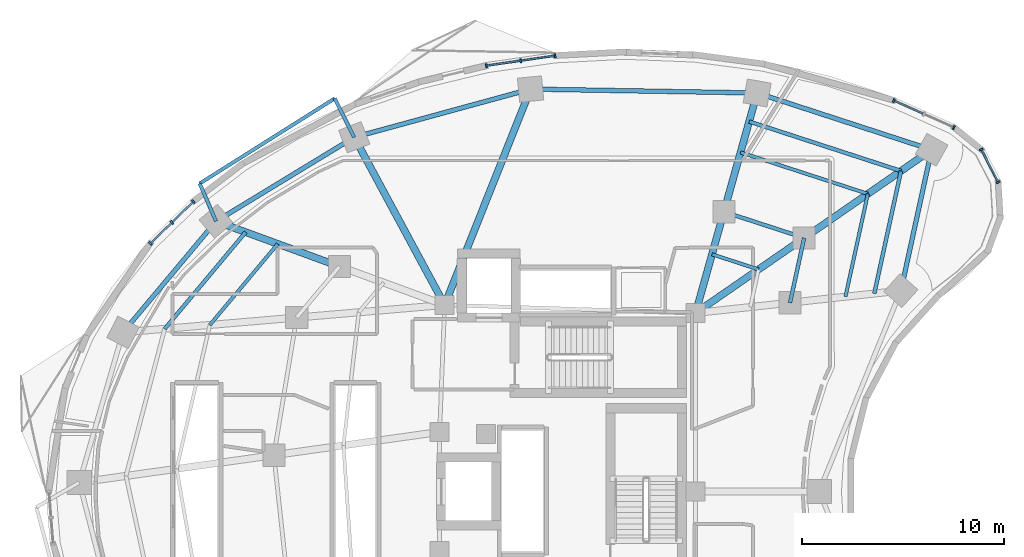
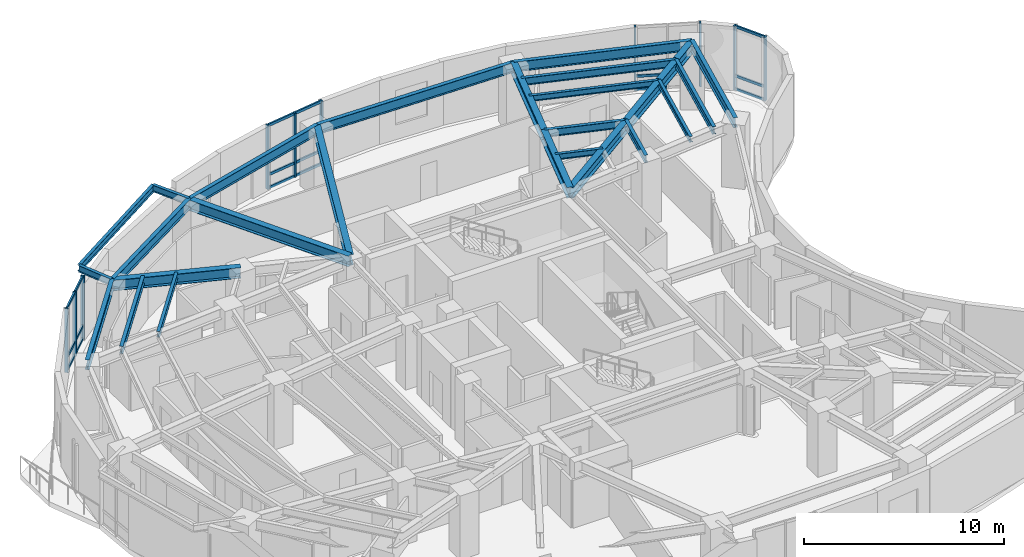
# One storey, part 5 of 14: 27 members, 25 beams, 4 elements without a shape of their own.
"""IFC4 building model written with IfcOpenShell, lengths in metres."""

import ifcopenshell
import ifcopenshell.guid

model = None  # the IFC model being written
_history = None  # IfcOwnerHistory: only IFC2X3 demands one
_inside = {}  # id of a spatial element -> (the spatial element, [elements in it])
_under = {}  # id of a project, library or spatial element -> (it, [spatial elements below it])
_declared = {}  # id of a project -> (the project, [libraries it declares])
_typed = {}  # id of a type object -> (the type object, [elements of that type])
_made_of = {}  # id of a material, layer set ... -> (it, [elements and type objects made of it])


def new_model(schema):
    """Start an empty IFC model of exactly this schema.

    Asked for "IFC4X3", IfcOpenShell would pick the latest addendum, in which some entities
    have other attributes; the version numbers below select the first issue.
    IFC2X3 requires an IfcOwnerHistory on every rooted entity: one is made here for all.
    """
    global model, _history
    if schema == "IFC4X3":
        model = ifcopenshell.file(schema_version=(4, 3, 0, 0))
    else:
        model = ifcopenshell.file(schema=schema)
    _inside.clear()
    _under.clear()
    _declared.clear()
    _typed.clear()
    _made_of.clear()
    _history = None
    if model.schema == "IFC2X3":
        org = make("IfcOrganization", Name="unknown")
        user = make(
            "IfcPersonAndOrganization",
            ThePerson=make("IfcPerson", FamilyName="unknown"),
            TheOrganization=org,
        )
        app = make(
            "IfcApplication",
            ApplicationDeveloper=org,
            Version="unknown",
            ApplicationFullName="unknown",
            ApplicationIdentifier="unknown",
        )
        _history = make(
            "IfcOwnerHistory",
            OwningUser=user,
            OwningApplication=app,
            ChangeAction="ADDED",
            CreationDate=0,
        )
    return model


def make(cls, **values):
    """One entity of the class cls with the attributes given. An attribute that is None is left unset."""
    return model.create_entity(
        cls, **{name: value for name, value in values.items() if value is not None}
    )


def rooted(cls, **values):
    """An entity with a GlobalId (a new one), such as an element, a storey or a relation."""
    return make(cls, GlobalId=ifcopenshell.guid.new(), OwnerHistory=_history, **values)


def si_unit(unit_type, name, prefix=None):
    """IfcSIUnit, for example si_unit("LENGTHUNIT", "METRE", prefix="MILLI")."""
    return make("IfcSIUnit", UnitType=unit_type, Prefix=prefix, Name=name)


def assignment(units):
    """IfcUnitAssignment: the units of a project."""
    return None if units is None else make("IfcUnitAssignment", Units=units)


def point(xyz):
    """IfcCartesianPoint."""
    return None if xyz is None else make("IfcCartesianPoint", Coordinates=xyz)


def direction(xyz):
    """IfcDirection."""
    return None if xyz is None else make("IfcDirection", DirectionRatios=xyz)


def frame(location, z_axis=None, x_axis=None):
    """IfcAxis2Placement3D, a coordinate frame: its origin and axes. An axis left out is left unset."""
    return make(
        "IfcAxis2Placement3D",
        Location=point(location),
        Axis=direction(z_axis),
        RefDirection=direction(x_axis),
    )


def frame_2d(location, x_axis=None):
    """IfcAxis2Placement2D, a coordinate frame in the plane: its origin and x axis."""
    return make(
        "IfcAxis2Placement2D", Location=point(location), RefDirection=direction(x_axis)
    )


def origin():
    """The frame at (0, 0, 0) with its axes left unset."""
    return frame((0.0, 0.0, 0.0))


def origin_2d():
    """The frame at (0, 0) in the plane with its x axis left unset."""
    return frame_2d((0.0, 0.0))


def place(relative_to, where):
    """IfcLocalPlacement: puts the frame where relative to a parent placement (None: the world)."""
    return make(
        "IfcLocalPlacement", PlacementRelTo=relative_to, RelativePlacement=where
    )


def context(
    kind, dimensions, precision=None, world=None, true_north=None, identifier=None
):
    """IfcGeometricRepresentationContext, for example the 3D "Model" context."""
    return make(
        "IfcGeometricRepresentationContext",
        ContextIdentifier=identifier,
        ContextType=kind,
        CoordinateSpaceDimension=dimensions,
        Precision=precision,
        WorldCoordinateSystem=world,
        TrueNorth=true_north,
    )


def subcontext(parent, identifier, kind, view, scale=None):
    """IfcGeometricRepresentationSubContext, for example "Body" below "Model"."""
    return make(
        "IfcGeometricRepresentationSubContext",
        ContextIdentifier=identifier,
        ContextType=kind,
        ParentContext=parent,
        TargetScale=scale,
        TargetView=view,
    )


def project(units=None, contexts=None):
    """IfcProject with its units and contexts."""
    return rooted(
        "IfcProject",
        Name="project",
        RepresentationContexts=contexts,
        UnitsInContext=assignment(units),
    )


def spatial(cls, under=None, at=None, **own):
    """A site, building, storey or space (cls), placed at a placement, below another one or the project."""
    s = rooted(cls, ObjectPlacement=at, **own)
    if under is not None:
        _under.setdefault(under.id(), (under, []))[1].append(s)
    return s


def profile(cls, at=None, kind="AREA", **sizes):
    """A parametric profile (cls). Its sizes go by their IFC names, for example OverallWidth=200.0."""
    return make(cls, ProfileType=kind, Position=at, **sizes)


def rectangle(**sizes):
    """IfcRectangleProfileDef."""
    return profile("IfcRectangleProfileDef", **sizes)


def i_section(**sizes):
    """IfcIShapeProfileDef."""
    return profile("IfcIShapeProfileDef", **sizes)


def extrude(swept, where, along, depth):
    """IfcExtrudedAreaSolid: the profile swept, set in the frame where, extruded along a direction by depth."""
    return make(
        "IfcExtrudedAreaSolid",
        SweptArea=swept,
        Position=where,
        ExtrudedDirection=direction(along),
        Depth=depth,
    )


def shape(context_of_items, identifier, shape_type, items):
    """IfcShapeRepresentation: the items that make up one representation, for example the "Body"."""
    return make(
        "IfcShapeRepresentation",
        ContextOfItems=context_of_items,
        RepresentationIdentifier=identifier,
        RepresentationType=shape_type,
        Items=items,
    )


def material(Name=None, Category=None):
    """IfcMaterial."""
    return make("IfcMaterial", Name=Name, Category=Category)


def layer(
    of_material, thickness, ventilated=None, Name=None, Category=None, Priority=None
):
    """IfcMaterialLayer: one layer of a wall or slab, of a material (None: an air gap)."""
    return make(
        "IfcMaterialLayer",
        Material=of_material,
        LayerThickness=thickness,
        IsVentilated=ventilated,
        Name=Name,
        Category=Category,
        Priority=Priority,
    )


def layer_set(layers, Name=None):
    """IfcMaterialLayerSet."""
    return make("IfcMaterialLayerSet", MaterialLayers=layers, LayerSetName=Name)


def material_profile(
    of_material, cross_section, Name=None, Category=None, Priority=None
):
    """IfcMaterialProfile: a cross section and its material."""
    return make(
        "IfcMaterialProfile",
        Name=Name,
        Material=of_material,
        Profile=cross_section,
        Priority=Priority,
        Category=Category,
    )


def profile_set(profiles, Name=None, composite=None):
    """IfcMaterialProfileSet."""
    return make(
        "IfcMaterialProfileSet",
        Name=Name,
        MaterialProfiles=profiles,
        CompositeProfile=composite,
    )


def made_of(thing, what):
    """Note that an element or type object is made of a material, layer set ...; save() writes the relation."""
    if what is not None:
        _made_of.setdefault(what.id(), (what, []))[1].append(thing)
    return thing


def type_object(cls, material=None, **own):
    """A type object (cls), such as IfcWallType, which elements share."""
    return made_of(rooted(cls, **own), material)


def element(
    cls,
    number,
    at=None,
    inside=None,
    cuts=None,
    type_object=None,
    material=None,
    context=None,
    identifier="Body",
    shape_type=None,
    held_by="IfcProductDefinitionShape",
    body=None,
    shapes=None,
    **own,
):
    """One element of the class cls, such as IfcWall. Its Tag is "e" and its number.

    at: its placement. inside: the storey or other place that contains it. cuts: it is an
    opening in that element (IfcRelVoidsElement). A single representation is given by context,
    identifier, shape_type and body (its items); several are given by shapes. held_by: the class
    of the entity that holds the representations. save() writes the other relations.
    """
    e = rooted(cls, Tag="e%d" % number, ObjectPlacement=at, **own)
    if body is not None:
        shapes = [shape(context, identifier, shape_type, body)]
    if shapes is not None:
        e.Representation = make(held_by, Representations=shapes)
    if inside is not None:
        _inside.setdefault(inside.id(), (inside, []))[1].append(e)
    if cuts is not None:
        rooted(
            "IfcRelVoidsElement", RelatingBuildingElement=cuts, RelatedOpeningElement=e
        )
    if type_object is not None:
        _typed.setdefault(type_object.id(), (type_object, []))[1].append(e)
    return made_of(e, material)


def aggregate(whole, parts):
    """IfcRelAggregates: a whole, such as a stair, and the parts it consists of."""
    return rooted("IfcRelAggregates", RelatingObject=whole, RelatedObjects=parts)


def save(model, path):
    """Write the relations noted so far, then the file.

    IfcRelAggregates (storeys below a building ...), IfcRelContainedInSpatialStructure (elements
    in a storey), IfcRelDefinesByType, IfcRelAssociatesMaterial and IfcRelDeclares: one each for
    every whole, place, type object, material and project.
    """
    for whole, parts in _under.values():
        aggregate(whole, parts)
    for where, things in _inside.values():
        rooted(
            "IfcRelContainedInSpatialStructure",
            RelatedElements=things,
            RelatingStructure=where,
        )
    for kind, things in _typed.values():
        rooted("IfcRelDefinesByType", RelatedObjects=things, RelatingType=kind)
    for what, things in _made_of.values():
        rooted("IfcRelAssociatesMaterial", RelatedObjects=things, RelatingMaterial=what)
    for by, libraries in _declared.values():
        rooted("IfcRelDeclares", RelatingContext=by, RelatedDefinitions=libraries)
    model.write(path)


model = new_model("IFC4")

# Units and contexts
model_context = context("Model", 3, precision=1e-05, world=origin(), true_north=direction((0.0, 1.0)))
body_context = subcontext(model_context, "Body", "Model", "MODEL_VIEW")
ifc_project = project(units=[si_unit("LENGTHUNIT", "METRE"), si_unit("AREAUNIT", "SQUARE_METRE"), si_unit("VOLUMEUNIT", "CUBIC_METRE"), si_unit("PLANEANGLEUNIT", "RADIAN"), si_unit("MASSUNIT", "GRAM", prefix="KILO")], contexts=[model_context])

# Site, building, storey
site_placement = place(None, origin())
site = spatial("IfcSite", under=ifc_project, at=site_placement, CompositionType="ELEMENT")
building_placement = place(site_placement, origin())
building = spatial("IfcBuilding", under=site, at=building_placement, Name="Korentha Bioscience Tower", CompositionType="ELEMENT")
storey_placement = place(building_placement, frame((0.0, 0.0, 119.39990234375)))
storey = spatial("IfcBuildingStorey", under=building, at=storey_placement, Name="L27", CompositionType="ELEMENT", Elevation=119.39990234375)

# Beams
ifc_material_1 = material(Name="Steel S355", Category="steel")
ifc_material_profile_1 = material_profile(ifc_material_1, i_section(OverallWidth=0.18994140625, OverallDepth=0.45703125, WebThickness=0.009033203125, FlangeThickness=0.014404296875, at=origin_2d()), Name="Steel S355")
ifc_profile_set_1 = profile_set([ifc_material_profile_1], Name="Steel S355 (MB-460)")
beam_type_1 = type_object("IfcBeamType", Name="Mid-Ring Tie Girder W460x74", PredefinedType="BEAM", material=ifc_profile_set_1)
beam_1_placement = place(storey_placement, frame((42.93603515625, 39.57470703125, 3.671630859375), z_axis=(-0.95087582253, 0.309572560361, 0.0), x_axis=(-0.309572560361, -0.95087582253, 0.0)))
element("IfcBeam", 1, at=beam_1_placement, inside=storey, type_object=beam_type_1, Name="L27 Mid-Ring Tie Girder 01", PredefinedType="BEAM", context=body_context, shape_type="SweptSolid", body=[
    extrude(i_section(OverallWidth=0.18994140625, OverallDepth=0.45703125, WebThickness=0.009033203125, FlangeThickness=0.014404296875, at=origin_2d()), origin(), (0.0, 0.0, 1.0), 4.186767578125),
])
beam_2_placement = place(storey_placement, frame((42.235595703125, 36.360595703125, 3.671630859375), z_axis=(0.212928773299, 0.977067724112, 0.0), x_axis=(-0.977067724112, 0.212928773299, 0.0)))
element("IfcBeam", 2, at=beam_2_placement, inside=storey, type_object=beam_type_1, Name="L27 Mid-Ring Tie Girder 16", PredefinedType="BEAM", context=body_context, shape_type="SweptSolid", body=[
    extrude(i_section(OverallWidth=0.18994140625, OverallDepth=0.45703125, WebThickness=0.009033203125, FlangeThickness=0.014404296875, at=origin_2d()), origin(), (0.0, 0.0, 1.0), 3.28955078125),
])

# Curtain wall, members
ifc_material_2 = material(Name="Thermally Broken Aluminium Frame", Category="aluminium")
ifc_layer = layer(ifc_material_2, 0.219970703125, Name="Thermally Broken Aluminium Frame")
ifc_layer_set = layer_set([ifc_layer], Name="Thermally Broken Aluminium Frame (CW-T1)")
curtain_wall_type = type_object("IfcCurtainWallType", Name="Standard Bioscience Lab Unitised Curtain Wall CW-T1", PredefinedType="USERDEFINED", material=ifc_layer_set)
curtain_wall_1_placement = place(storey_placement, origin())
curtain_wall_1 = element("IfcCurtainWall", 3, at=curtain_wall_1_placement, inside=storey, type_object=curtain_wall_type, Name="L27 Curtain Wall 01", ObjectType="UNITISED", PredefinedType="USERDEFINED")
ifc_material_3 = material(Name="Anodised Aluminium 6063-T6", Category="aluminium")
ifc_material_profile_2 = material_profile(ifc_material_3, rectangle(XDim=0.090087890625, YDim=0.199951171875, at=origin_2d()), Name="Anodised Aluminium 6063-T6")
ifc_profile_set_2 = profile_set([ifc_material_profile_2], Name="Anodised Aluminium 6063-T6 (CW-MUL)")
member_type_1 = type_object("IfcMemberType", Name="Mullion RECT 90x200", PredefinedType="MULLION", material=ifc_profile_set_2)
member_1_placement = place(storey_placement, frame((50.364013671875, 45.0517578125, 0.0), z_axis=(0.0, 0.0, 1.0), x_axis=(-0.912686563127, 0.408660295952, 0.0)))
member_1 = element("IfcMember", 4, at=member_1_placement, type_object=member_type_1, Name="CW-L27-01 Mullion 1", PredefinedType="MULLION", context=body_context, shape_type="SweptSolid", body=[
    extrude(rectangle(XDim=0.090087890625, YDim=0.199951171875, at=origin_2d()), origin(), (0.0, 0.0, 1.0), 3.900146484375),
])
member_2_placement = place(storey_placement, frame((47.37890625, 46.388427734375, 0.0), z_axis=(0.0, 0.0, 1.0), x_axis=(-0.912686563127, 0.408660295952, 0.0)))
member_2 = element("IfcMember", 5, at=member_2_placement, type_object=member_type_1, Name="CW-L27-01 Mullion 3", PredefinedType="MULLION", context=body_context, shape_type="SweptSolid", body=[
    extrude(rectangle(XDim=0.090087890625, YDim=0.199951171875, at=origin_2d()), origin(), (0.0, 0.0, 1.0), 3.900146484375),
])

curtain_wall_2_placement = place(storey_placement, origin())
curtain_wall_2 = element("IfcCurtainWall", 6, at=curtain_wall_2_placement, inside=storey, type_object=curtain_wall_type, Name="L27 Curtain Wall 07", ObjectType="UNITISED", PredefinedType="USERDEFINED")
member_3_placement = place(storey_placement, frame((30.576416015625, 48.609375, 0.0), z_axis=(0.0, 0.0, 1.0), x_axis=(-0.989738282326, -0.14289203091, 0.0)))
member_3 = element("IfcMember", 7, at=member_3_placement, type_object=member_type_1, Name="CW-L27-07 Mullion 1", PredefinedType="MULLION", context=body_context, shape_type="SweptSolid", body=[
    extrude(rectangle(XDim=0.090087890625, YDim=0.199951171875, at=origin_2d()), origin(), (0.0, 0.0, 1.0), 3.900146484375),
])
member_4_placement = place(storey_placement, frame((28.873291015625, 48.363525390625, 0.0), z_axis=(0.0, 0.0, 1.0), x_axis=(-0.989738282326, -0.14289203091, 0.0)))
member_4 = element("IfcMember", 8, at=member_4_placement, type_object=member_type_1, Name="CW-L27-07 Mullion 2", PredefinedType="MULLION", context=body_context, shape_type="SweptSolid", body=[
    extrude(rectangle(XDim=0.090087890625, YDim=0.199951171875, at=origin_2d()), origin(), (0.0, 0.0, 1.0), 3.900146484375),
])
member_5_placement = place(storey_placement, frame((27.170166015625, 48.11767578125, 0.0), z_axis=(0.0, 0.0, 1.0), x_axis=(-0.989738282326, -0.14289203091, 0.0)))
member_5 = element("IfcMember", 9, at=member_5_placement, type_object=member_type_1, Name="CW-L27-07 Mullion 3", PredefinedType="MULLION", context=body_context, shape_type="SweptSolid", body=[
    extrude(rectangle(XDim=0.090087890625, YDim=0.199951171875, at=origin_2d()), origin(), (0.0, 0.0, 1.0), 3.900146484375),
])

curtain_wall_3_placement = place(storey_placement, origin())
curtain_wall_3 = element("IfcCurtainWall", 10, at=curtain_wall_3_placement, inside=storey, type_object=curtain_wall_type, Name="L27 Curtain Wall 13", ObjectType="UNITISED", PredefinedType="USERDEFINED")
member_6_placement = place(storey_placement, frame((12.631103515625, 41.377197265625, 0.0), z_axis=(0.0, 0.0, 1.0), x_axis=(-0.716095631804, -0.698002182025, 0.0)))
member_6 = element("IfcMember", 11, at=member_6_placement, type_object=member_type_1, Name="CW-L27-13 Mullion 1", PredefinedType="MULLION", context=body_context, shape_type="SweptSolid", body=[
    extrude(rectangle(XDim=0.090087890625, YDim=0.199951171875, at=origin_2d()), origin(), (0.0, 0.0, 1.0), 3.900146484375),
])
member_7_placement = place(storey_placement, frame((11.56689453125, 40.340087890625, 0.0), z_axis=(0.0, 0.0, 1.0), x_axis=(-0.716095631804, -0.698002182025, 0.0)))
member_7 = element("IfcMember", 12, at=member_7_placement, type_object=member_type_1, Name="CW-L27-13 Mullion 2", PredefinedType="MULLION", context=body_context, shape_type="SweptSolid", body=[
    extrude(rectangle(XDim=0.090087890625, YDim=0.199951171875, at=origin_2d()), origin(), (0.0, 0.0, 1.0), 3.900146484375),
])
member_8_placement = place(storey_placement, frame((10.5029296875, 39.302734375, 0.0), z_axis=(0.0, 0.0, 1.0), x_axis=(-0.716095631804, -0.698002182025, 0.0)))
member_8 = element("IfcMember", 13, at=member_8_placement, type_object=member_type_1, Name="CW-L27-13 Mullion 3", PredefinedType="MULLION", context=body_context, shape_type="SweptSolid", body=[
    extrude(rectangle(XDim=0.090087890625, YDim=0.199951171875, at=origin_2d()), origin(), (0.0, 0.0, 1.0), 3.900146484375),
])

curtain_wall_4_placement = place(storey_placement, origin())
curtain_wall_4 = element("IfcCurtainWall", 14, at=curtain_wall_4_placement, inside=storey, type_object=curtain_wall_type, Name="L27 Curtain Wall 61", ObjectType="UNITISED", PredefinedType="USERDEFINED")
member_9_placement = place(storey_placement, frame((52.55859375, 42.337158203125, 0.0), z_axis=(0.0, 0.0, 1.0), x_axis=(-0.457613117169, 0.889151412862, 0.0)))
member_9 = element("IfcMember", 15, at=member_9_placement, type_object=member_type_1, Name="CW-L27-61 Mullion 1", PredefinedType="MULLION", context=body_context, shape_type="SweptSolid", body=[
    extrude(rectangle(XDim=0.090087890625, YDim=0.199951171875, at=origin_2d()), origin(), (0.0, 0.0, 1.0), 3.900146484375),
])
member_10_placement = place(storey_placement, frame((51.722412109375, 43.962158203125, 0.0), z_axis=(0.0, 0.0, 1.0), x_axis=(-0.457613117169, 0.889151412862, 0.0)))
member_10 = element("IfcMember", 16, at=member_10_placement, type_object=member_type_1, Name="CW-L27-61 Mullion 2", PredefinedType="MULLION", context=body_context, shape_type="SweptSolid", body=[
    extrude(rectangle(XDim=0.090087890625, YDim=0.199951171875, at=origin_2d()), origin(), (0.0, 0.0, 1.0), 3.900146484375),
])

# Beams
ifc_material_profile_3 = material_profile(ifc_material_1, i_section(OverallWidth=0.22802734375, OverallDepth=0.60791015625, WebThickness=0.01123046875, FlangeThickness=0.017333984375, at=origin_2d()), Name="Steel S355")
ifc_profile_set_3 = profile_set([ifc_material_profile_3], Name="Steel S355 (SB-610)")
beam_type_2 = type_object("IfcBeamType", Name="Perimeter Ring Spandrel Girder W610x113", PredefinedType="SPANDREL", material=ifc_profile_set_3)
beam_3_placement = place(storey_placement, frame((49.2587890625, 43.947021484375, 3.59619140625), z_axis=(-0.950867758759, 0.309597327755, 0.0), x_axis=(-0.309597327755, -0.950867758759, 0.0)))
element("IfcBeam", 17, at=beam_3_placement, inside=storey, type_object=beam_type_2, Name="L27 Perimeter Spandrel Girder 01", PredefinedType="SPANDREL", context=body_context, shape_type="SweptSolid", body=[
    extrude(i_section(OverallWidth=0.22802734375, OverallDepth=0.60791015625, WebThickness=0.01123046875, FlangeThickness=0.017333984375, at=origin_2d()), origin(), (0.0, 0.0, 1.0), 9.101806640625),
])
beam_4_placement = place(storey_placement, frame((40.604248046875, 46.764892578125, 3.59619140625), z_axis=(-0.999850566826, 0.017287105523, 0.0), x_axis=(-0.017287105523, -0.999850566826, 0.0)))
element("IfcBeam", 18, at=beam_4_placement, inside=storey, type_object=beam_type_2, Name="L27 Perimeter Spandrel Girder 02", PredefinedType="SPANDREL", context=body_context, shape_type="SweptSolid", body=[
    extrude(i_section(OverallWidth=0.22802734375, OverallDepth=0.60791015625, WebThickness=0.01123046875, FlangeThickness=0.017333984375, at=origin_2d()), origin(), (0.0, 0.0, 1.0), 11.24169921875),
])
beam_5_placement = place(storey_placement, frame((29.3642578125, 46.959228515625, 3.59619140625), z_axis=(-0.964659386444, -0.263500034431, 0.0), x_axis=(0.263500034431, -0.964659386444, 0.0)))
element("IfcBeam", 19, at=beam_5_placement, inside=storey, type_object=beam_type_2, Name="L27 Perimeter Spandrel Girder 03", PredefinedType="SPANDREL", context=body_context, shape_type="SweptSolid", body=[
    extrude(i_section(OverallWidth=0.22802734375, OverallDepth=0.60791015625, WebThickness=0.01123046875, FlangeThickness=0.017333984375, at=origin_2d()), origin(), (0.0, 0.0, 1.0), 9.06982421875),
])
beam_6_placement = place(storey_placement, frame((20.614990234375, 44.5693359375, 3.59619140625), z_axis=(-0.854461040474, -0.51951547649, 0.0), x_axis=(0.51951547649, -0.854461040474, 0.0)))
element("IfcBeam", 20, at=beam_6_placement, inside=storey, type_object=beam_type_2, Name="L27 Perimeter Spandrel Girder 04", PredefinedType="SPANDREL", context=body_context, shape_type="SweptSolid", body=[
    extrude(i_section(OverallWidth=0.22802734375, OverallDepth=0.60791015625, WebThickness=0.01123046875, FlangeThickness=0.017333984375, at=origin_2d()), origin(), (0.0, 0.0, 1.0), 8.025146484375),
])
beam_7_placement = place(storey_placement, frame((13.7578125, 40.400146484375, 3.59619140625), z_axis=(-0.642126556076, -0.76659864726, 0.0), x_axis=(0.76659864726, -0.642126556076, 0.0)))
element("IfcBeam", 21, at=beam_7_placement, inside=storey, type_object=beam_type_2, Name="L27 Perimeter Spandrel Girder 05", PredefinedType="SPANDREL", context=body_context, shape_type="SweptSolid", body=[
    extrude(i_section(OverallWidth=0.22802734375, OverallDepth=0.60791015625, WebThickness=0.01123046875, FlangeThickness=0.017333984375, at=origin_2d()), origin(), (0.0, 0.0, 1.0), 7.1884765625),
])
beam_8_placement = place(storey_placement, frame((47.736083984375, 36.959716796875, 3.59619140625), z_axis=(0.212927102256, 0.977068088275, 0.0), x_axis=(-0.977068088275, 0.212927102256, 0.0)))
element("IfcBeam", 22, at=beam_8_placement, inside=storey, type_object=beam_type_2, Name="L27 Perimeter Spandrel Girder 16", PredefinedType="SPANDREL", context=body_context, shape_type="SweptSolid", body=[
    extrude(i_section(OverallWidth=0.22802734375, OverallDepth=0.60791015625, WebThickness=0.01123046875, FlangeThickness=0.017333984375, at=origin_2d()), origin(), (0.0, 0.0, 1.0), 7.1513671875),
])
ifc_material_profile_4 = material_profile(ifc_material_1, i_section(OverallWidth=0.18994140625, OverallDepth=0.45703125, WebThickness=0.009033203125, FlangeThickness=0.014404296875, at=origin_2d()), Name="Steel S355")
ifc_profile_set_4 = profile_set([ifc_material_profile_4], Name="Steel S355 (RB-460)")
beam_type_3 = type_object("IfcBeamType", Name="Radial Laboratory Beam W460x74", PredefinedType="BEAM", material=ifc_profile_set_4)
beam_9_placement = place(storey_placement, frame((47.7412109375, 42.8974609375, 3.671630859375), z_axis=(-0.950866789802, 0.3096003037, 0.0), x_axis=(-0.3096003037, -0.950866789802, 0.0)))
element("IfcBeam", 23, at=beam_9_placement, inside=storey, type_object=beam_type_3, Name="L27 Secondary Floor Beam JSTO-01", PredefinedType="BEAM", context=body_context, shape_type="SweptSolid", body=[
    extrude(i_section(OverallWidth=0.18994140625, OverallDepth=0.45703125, WebThickness=0.009033203125, FlangeThickness=0.014404296875, at=origin_2d()), origin(), (0.0, 0.0, 1.0), 7.921875),
])
beam_10_placement = place(storey_placement, frame((15.227783203125, 39.8623046875, 3.671630859375), z_axis=(-0.642128156066, -0.766597307057, 0.0), x_axis=(0.766597307057, -0.642128156066, 0.0)))
element("IfcBeam", 24, at=beam_10_placement, inside=storey, type_object=beam_type_3, Name="L27 Secondary Floor Beam JSTO-05", PredefinedType="BEAM", context=body_context, shape_type="SweptSolid", body=[
    extrude(i_section(OverallWidth=0.18994140625, OverallDepth=0.45703125, WebThickness=0.009033203125, FlangeThickness=0.014404296875, at=origin_2d()), origin(), (0.0, 0.0, 1.0), 6.257080078125),
])
beam_11_placement = place(storey_placement, frame((46.416015625, 36.81591796875, 3.671630859375), z_axis=(0.21290837934, 0.977072168269, 0.0), x_axis=(-0.977072168269, 0.21290837934, 0.0)))
element("IfcBeam", 25, at=beam_11_placement, inside=storey, type_object=beam_type_3, Name="L27 Secondary Floor Beam JSTO-16", PredefinedType="BEAM", context=body_context, shape_type="SweptSolid", body=[
    extrude(i_section(OverallWidth=0.18994140625, OverallDepth=0.45703125, WebThickness=0.009033203125, FlangeThickness=0.014404296875, at=origin_2d()), origin(), (0.0, 0.0, 1.0), 6.224365234375),
])
ifc_material_profile_5 = material_profile(ifc_material_1, i_section(OverallWidth=0.35009765625, OverallDepth=0.64990234375, WebThickness=0.01611328125, FlangeThickness=0.02490234375, at=origin_2d()), Name="Steel S355")
ifc_profile_set_5 = profile_set([ifc_material_profile_5], Name="Steel S355 (RB-650)")
beam_type_4 = type_object("IfcBeamType", Name="Radial Laboratory Girder CVS 650x208", PredefinedType="BEAM", material=ifc_profile_set_5)
beam_12_placement = place(storey_placement, frame((37.550048828125, 35.85009765625, 3.5751953125), z_axis=(0.822488699387, 0.568781451333, 0.0), x_axis=(-0.568781451333, 0.822488699387, 0.0)))
element("IfcBeam", 26, at=beam_12_placement, inside=storey, type_object=beam_type_4, Name="L27 Inner Radial Girder 01", PredefinedType="BEAM", context=body_context, shape_type="SweptSolid", body=[
    extrude(i_section(OverallWidth=0.35009765625, OverallDepth=0.64990234375, WebThickness=0.01611328125, FlangeThickness=0.02490234375, at=origin_2d()), origin(), (0.0, 0.0, 1.0), 6.54833984375),
])
beam_13_placement = place(storey_placement, frame((42.93603515625, 39.57470703125, 3.5751953125), z_axis=(0.822495056204, 0.568772258922, 0.0), x_axis=(-0.568772258922, 0.822495056204, 0.0)))
element("IfcBeam", 27, at=beam_13_placement, inside=storey, type_object=beam_type_4, Name="L27 Outer Radial Girder 01", PredefinedType="BEAM", context=body_context, shape_type="SweptSolid", body=[
    extrude(i_section(OverallWidth=0.35009765625, OverallDepth=0.64990234375, WebThickness=0.01611328125, FlangeThickness=0.02490234375, at=origin_2d()), origin(), (0.0, 0.0, 1.0), 7.687255859375),
])
beam_14_placement = place(storey_placement, frame((37.550048828125, 35.85009765625, 3.5751953125), z_axis=(0.269447542125, 0.96301506844, 0.0), x_axis=(-0.96301506844, 0.269447542125, 0.0)))
element("IfcBeam", 28, at=beam_14_placement, inside=storey, type_object=beam_type_4, Name="L27 Inner Radial Girder 02", PredefinedType="BEAM", context=body_context, shape_type="SweptSolid", body=[
    extrude(i_section(OverallWidth=0.35009765625, OverallDepth=0.64990234375, WebThickness=0.01611328125, FlangeThickness=0.02490234375, at=origin_2d()), origin(), (0.0, 0.0, 1.0), 5.213623046875),
])
beam_15_placement = place(storey_placement, frame((38.954833984375, 40.870849609375, 3.5751953125), z_axis=(0.269490843458, 0.963002951861, 0.0), x_axis=(-0.963002951861, 0.269490843458, 0.0)))
element("IfcBeam", 29, at=beam_15_placement, inside=storey, type_object=beam_type_4, Name="L27 Outer Radial Girder 02", PredefinedType="BEAM", context=body_context, shape_type="SweptSolid", body=[
    extrude(i_section(OverallWidth=0.35009765625, OverallDepth=0.64990234375, WebThickness=0.01611328125, FlangeThickness=0.02490234375, at=origin_2d()), origin(), (0.0, 0.0, 1.0), 6.120361328125),
])
beam_16_placement = place(storey_placement, frame((25.10009765625, 36.25, 3.5751953125), z_axis=(0.369929528493, 0.929059817207, 0.0), x_axis=(-0.929059817207, 0.369929528493, 0.0)))
element("IfcBeam", 30, at=beam_16_placement, inside=storey, type_object=beam_type_4, Name="L27 Radial Girder 03", PredefinedType="BEAM", context=body_context, shape_type="SweptSolid", body=[
    extrude(i_section(OverallWidth=0.35009765625, OverallDepth=0.64990234375, WebThickness=0.01611328125, FlangeThickness=0.02490234375, at=origin_2d()), origin(), (0.0, 0.0, 1.0), 11.52685546875),
])
beam_17_placement = place(storey_placement, frame((25.10009765625, 36.25, 3.5751953125), z_axis=(-0.474548018732, 0.880229616587, 0.0), x_axis=(-0.880229616587, -0.474548018732, 0.0)))
element("IfcBeam", 31, at=beam_17_placement, inside=storey, type_object=beam_type_4, Name="L27 Radial Girder 04", PredefinedType="BEAM", context=body_context, shape_type="SweptSolid", body=[
    extrude(i_section(OverallWidth=0.35009765625, OverallDepth=0.64990234375, WebThickness=0.01611328125, FlangeThickness=0.02490234375, at=origin_2d()), origin(), (0.0, 0.0, 1.0), 9.451416015625),
])
beam_18_placement = place(storey_placement, frame((19.882568359375, 38.158935546875, 3.5751953125), z_axis=(-0.939100755225, 0.343641923425, 0.0), x_axis=(-0.343641923425, -0.939100755225, 0.0)))
element("IfcBeam", 32, at=beam_18_placement, inside=storey, type_object=beam_type_4, Name="L27 Outer Radial Girder 05", PredefinedType="BEAM", context=body_context, shape_type="SweptSolid", body=[
    extrude(i_section(OverallWidth=0.35009765625, OverallDepth=0.64990234375, WebThickness=0.01611328125, FlangeThickness=0.02490234375, at=origin_2d()), origin(), (0.0, 0.0, 1.0), 6.52197265625),
])
ifc_material_profile_6 = material_profile(ifc_material_1, i_section(OverallWidth=0.1708984375, OverallDepth=0.35498046875, WebThickness=0.007080078125, FlangeThickness=0.01171875, at=origin_2d()), Name="Steel S355")
ifc_profile_set_6 = profile_set([ifc_material_profile_6], Name="Steel S355 (JB-360)")
beam_type_5 = type_object("IfcBeamType", Name="Secondary Laboratory Joist W360x51", PredefinedType="JOIST", material=ifc_profile_set_6)
beam_19_placement = place(storey_placement, frame((46.097412109375, 41.7607421875, 3.72265625), z_axis=(-0.950864890997, 0.309606135387, 0.0), x_axis=(-0.309606135387, -0.950864890997, 0.0)))
element("IfcBeam", 33, at=beam_19_placement, inside=storey, type_object=beam_type_5, Name="L27 Secondary Floor Beam JST-01", PredefinedType="JOIST", context=body_context, shape_type="SweptSolid", body=[
    extrude(i_section(OverallWidth=0.1708984375, OverallDepth=0.35498046875, WebThickness=0.007080078125, FlangeThickness=0.01171875, at=origin_2d()), origin(), (0.0, 0.0, 1.0), 6.644287109375),
])
beam_20_placement = place(storey_placement, frame((40.673828125, 38.01025390625, 3.72265625), z_axis=(-0.950852158547, 0.30964523666, 0.0), x_axis=(-0.30964523666, -0.950852158547, 0.0)))
element("IfcBeam", 34, at=beam_20_placement, inside=storey, type_object=beam_type_5, Name="L27 Inner Bay Joist 01", PredefinedType="JOIST", context=body_context, shape_type="SweptSolid", body=[
    extrude(i_section(OverallWidth=0.1708984375, OverallDepth=0.35498046875, WebThickness=0.007080078125, FlangeThickness=0.01171875, at=origin_2d()), origin(), (0.0, 0.0, 1.0), 2.428466796875),
])
beam_21_placement = place(storey_placement, frame((16.8203125, 39.279541015625, 3.72265625), z_axis=(-0.642140812018, -0.76658670582, 0.0), x_axis=(0.76658670582, -0.642140812018, 0.0)))
element("IfcBeam", 35, at=beam_21_placement, inside=storey, type_object=beam_type_5, Name="L27 Secondary Floor Beam JST-05", PredefinedType="JOIST", context=body_context, shape_type="SweptSolid", body=[
    extrude(i_section(OverallWidth=0.1708984375, OverallDepth=0.35498046875, WebThickness=0.007080078125, FlangeThickness=0.01171875, at=origin_2d()), origin(), (0.0, 0.0, 1.0), 5.247802734375),
])
beam_22_placement = place(storey_placement, frame((44.98583984375, 36.66015625, 3.72265625), z_axis=(0.212932493609, 0.977066913351, 0.0), x_axis=(-0.977066913351, 0.212932493609, 0.0)))
element("IfcBeam", 36, at=beam_22_placement, inside=storey, type_object=beam_type_5, Name="L27 Secondary Floor Beam JST-16", PredefinedType="JOIST", context=body_context, shape_type="SweptSolid", body=[
    extrude(i_section(OverallWidth=0.1708984375, OverallDepth=0.35498046875, WebThickness=0.007080078125, FlangeThickness=0.01171875, at=origin_2d()), origin(), (0.0, 0.0, 1.0), 5.22021484375),
])
ifc_material_profile_7 = material_profile(ifc_material_1, i_section(OverallWidth=0.177978515625, OverallDepth=0.406982421875, WebThickness=0.0078125, FlangeThickness=0.0126953125, at=origin_2d()), Name="Steel S355")
ifc_profile_set_7 = profile_set([ifc_material_profile_7], Name="Steel S355 (CB-410)")
beam_type_6 = type_object("IfcBeamType", Name="Sun-Ledge Cantilever Beam W410x60", PredefinedType="BEAM", material=ifc_profile_set_7)
beam_23_placement = place(storey_placement, frame((20.614990234375, 44.5693359375, 3.698486328125), z_axis=(-0.44852697991, 0.893769292543, 0.0), x_axis=(-0.893769292543, -0.44852697991, 0.0)))
element("IfcBeam", 37, at=beam_23_placement, inside=storey, type_object=beam_type_6, Name="L27 Balcony Cantilever Bracket A-L28-01", PredefinedType="BEAM", context=body_context, shape_type="SweptSolid", body=[
    extrude(i_section(OverallWidth=0.177978515625, OverallDepth=0.406982421875, WebThickness=0.0078125, FlangeThickness=0.0126953125, at=origin_2d()), origin(), (0.0, 0.0, 1.0), 2.155517578125),
])
beam_24_placement = place(storey_placement, frame((13.7578125, 40.400146484375, 3.698486328125), z_axis=(-0.396271043658, 0.918133574137, 0.0), x_axis=(-0.918133574137, -0.396271043658, 0.0)))
element("IfcBeam", 38, at=beam_24_placement, inside=storey, type_object=beam_type_6, Name="L27 Balcony Cantilever Bracket B-L28-01", PredefinedType="BEAM", context=body_context, shape_type="SweptSolid", body=[
    extrude(i_section(OverallWidth=0.177978515625, OverallDepth=0.406982421875, WebThickness=0.0078125, FlangeThickness=0.0126953125, at=origin_2d()), origin(), (0.0, 0.0, 1.0), 2.041015625),
])
beam_25_placement = place(storey_placement, frame((19.648193359375, 46.495849609375, 3.698486328125), z_axis=(-0.846024766913, -0.533143595826, 0.0), x_axis=(0.533143595826, -0.846024766913, 0.0)))
element("IfcBeam", 39, at=beam_25_placement, inside=storey, type_object=beam_type_6, Name="L27 Balcony Edge Trimmer Beam L28-01", PredefinedType="BEAM", context=body_context, shape_type="SweptSolid", body=[
    extrude(i_section(OverallWidth=0.177978515625, OverallDepth=0.406982421875, WebThickness=0.0078125, FlangeThickness=0.0126953125, at=origin_2d()), origin(), (0.0, 0.0, 1.0), 7.91845703125),
])

# Member
ifc_material_profile_8 = material_profile(ifc_material_3, rectangle(XDim=0.090087890625, YDim=0.159912109375, at=origin_2d()), Name="Anodised Aluminium 6063-T6")
ifc_profile_set_8 = profile_set([ifc_material_profile_8], Name="Anodised Aluminium 6063-T6 (CW-TRN)")
member_type_2 = type_object("IfcMemberType", Name="Transom RECT 90x160", PredefinedType="USERDEFINED", material=ifc_profile_set_8)
member_11_placement = place(storey_placement, frame((48.830322265625, 45.738525390625, 0.045166015625), z_axis=(-0.912667864607, 0.408702053962, 0.0), x_axis=(-0.408702053962, -0.912667864607, 0.0)))
member_11 = element("IfcMember", 40, at=member_11_placement, type_object=member_type_2, Name="CW-L27-01 Bay 2 Transom 1", ObjectType="TRANSOM", PredefinedType="USERDEFINED", context=body_context, shape_type="SweptSolid", body=[
    extrude(rectangle(XDim=0.090087890625, YDim=0.159912109375, at=origin_2d()), origin(), (0.0, 0.0, 1.0), 1.54541015625),
])

member_12_placement = place(storey_placement, frame((48.830322265625, 45.738525390625, 0.85009765625), z_axis=(-0.912667864607, 0.408702053962, 0.0), x_axis=(-0.408702053962, -0.912667864607, 0.0)))
member_12 = element("IfcMember", 41, at=member_12_placement, type_object=member_type_2, Name="CW-L27-01 Bay 2 Transom 2", ObjectType="TRANSOM", PredefinedType="USERDEFINED", context=body_context, shape_type="SweptSolid", body=[
    extrude(rectangle(XDim=0.090087890625, YDim=0.159912109375, at=origin_2d()), origin(), (0.0, 0.0, 1.0), 1.54541015625),
])

aggregate(curtain_wall_1, [member_1, member_2, member_11, member_12])

member_13_placement = place(storey_placement, frame((30.53173828125, 48.602783203125, 0.045166015625), z_axis=(-0.989747883164, -0.142825515132, 0.0), x_axis=(0.142825515132, -0.989747883164, 0.0)))
member_13 = element("IfcMember", 42, at=member_13_placement, type_object=member_type_2, Name="CW-L27-07 Bay 1 Transom 1", ObjectType="TRANSOM", PredefinedType="USERDEFINED", context=body_context, shape_type="SweptSolid", body=[
    extrude(rectangle(XDim=0.090087890625, YDim=0.159912109375, at=origin_2d()), origin(), (0.0, 0.0, 1.0), 1.630615234375),
])

member_14_placement = place(storey_placement, frame((30.53173828125, 48.602783203125, 0.85009765625), z_axis=(-0.989747883164, -0.142825515132, 0.0), x_axis=(0.142825515132, -0.989747883164, 0.0)))
member_14 = element("IfcMember", 43, at=member_14_placement, type_object=member_type_2, Name="CW-L27-07 Bay 1 Transom 2", ObjectType="TRANSOM", PredefinedType="USERDEFINED", context=body_context, shape_type="SweptSolid", body=[
    extrude(rectangle(XDim=0.090087890625, YDim=0.159912109375, at=origin_2d()), origin(), (0.0, 0.0, 1.0), 1.630615234375),
])

member_15_placement = place(storey_placement, frame((30.53173828125, 48.602783203125, 3.85498046875), z_axis=(-0.989747883164, -0.142825515132, 0.0), x_axis=(0.142825515132, -0.989747883164, 0.0)))
member_15 = element("IfcMember", 44, at=member_15_placement, type_object=member_type_2, Name="CW-L27-07 Bay 1 Transom 3", ObjectType="TRANSOM", PredefinedType="USERDEFINED", context=body_context, shape_type="SweptSolid", body=[
    extrude(rectangle(XDim=0.090087890625, YDim=0.159912109375, at=origin_2d()), origin(), (0.0, 0.0, 1.0), 1.630615234375),
])

member_16_placement = place(storey_placement, frame((28.82861328125, 48.357177734375, 0.045166015625), z_axis=(-0.989723648346, -0.142993356153, 0.0), x_axis=(0.142993356153, -0.989723648346, 0.0)))
member_16 = element("IfcMember", 45, at=member_16_placement, type_object=member_type_2, Name="CW-L27-07 Bay 2 Transom 1", ObjectType="TRANSOM", PredefinedType="USERDEFINED", context=body_context, shape_type="SweptSolid", body=[
    extrude(rectangle(XDim=0.090087890625, YDim=0.159912109375, at=origin_2d()), origin(), (0.0, 0.0, 1.0), 1.630615234375),
])

member_17_placement = place(storey_placement, frame((28.82861328125, 48.357177734375, 0.85009765625), z_axis=(-0.989723648346, -0.142993356153, 0.0), x_axis=(0.142993356153, -0.989723648346, 0.0)))
member_17 = element("IfcMember", 46, at=member_17_placement, type_object=member_type_2, Name="CW-L27-07 Bay 2 Transom 2", ObjectType="TRANSOM", PredefinedType="USERDEFINED", context=body_context, shape_type="SweptSolid", body=[
    extrude(rectangle(XDim=0.090087890625, YDim=0.159912109375, at=origin_2d()), origin(), (0.0, 0.0, 1.0), 1.630615234375),
])

member_18_placement = place(storey_placement, frame((28.82861328125, 48.357177734375, 3.85498046875), z_axis=(-0.989723648346, -0.142993356153, 0.0), x_axis=(0.142993356153, -0.989723648346, 0.0)))
member_18 = element("IfcMember", 47, at=member_18_placement, type_object=member_type_2, Name="CW-L27-07 Bay 2 Transom 3", ObjectType="TRANSOM", PredefinedType="USERDEFINED", context=body_context, shape_type="SweptSolid", body=[
    extrude(rectangle(XDim=0.090087890625, YDim=0.159912109375, at=origin_2d()), origin(), (0.0, 0.0, 1.0), 1.630615234375),
])

aggregate(curtain_wall_2, [member_3, member_4, member_5, member_13, member_14, member_15, member_16, member_17, member_18])

member_19_placement = place(storey_placement, frame((12.598876953125, 41.345703125, 0.045166015625), z_axis=(-0.716142170971, -0.697954433296, 0.0), x_axis=(0.697954433296, -0.716142170971, 0.0)))
member_19 = element("IfcMember", 48, at=member_19_placement, type_object=member_type_2, Name="CW-L27-13 Bay 1 Transom 1", ObjectType="TRANSOM", PredefinedType="USERDEFINED", context=body_context, shape_type="SweptSolid", body=[
    extrude(rectangle(XDim=0.090087890625, YDim=0.159912109375, at=origin_2d()), origin(), (0.0, 0.0, 1.0), 1.39599609375),
])

member_20_placement = place(storey_placement, frame((12.598876953125, 41.345703125, 0.85009765625), z_axis=(-0.716142170971, -0.697954433296, 0.0), x_axis=(0.697954433296, -0.716142170971, 0.0)))
member_20 = element("IfcMember", 49, at=member_20_placement, type_object=member_type_2, Name="CW-L27-13 Bay 1 Transom 2", ObjectType="TRANSOM", PredefinedType="USERDEFINED", context=body_context, shape_type="SweptSolid", body=[
    extrude(rectangle(XDim=0.090087890625, YDim=0.159912109375, at=origin_2d()), origin(), (0.0, 0.0, 1.0), 1.39599609375),
])

member_21_placement = place(storey_placement, frame((12.598876953125, 41.345703125, 3.85498046875), z_axis=(-0.716142170971, -0.697954433296, 0.0), x_axis=(0.697954433296, -0.716142170971, 0.0)))
member_21 = element("IfcMember", 50, at=member_21_placement, type_object=member_type_2, Name="CW-L27-13 Bay 1 Transom 3", ObjectType="TRANSOM", PredefinedType="USERDEFINED", context=body_context, shape_type="SweptSolid", body=[
    extrude(rectangle(XDim=0.090087890625, YDim=0.159912109375, at=origin_2d()), origin(), (0.0, 0.0, 1.0), 1.39599609375),
])

member_22_placement = place(storey_placement, frame((11.534912109375, 40.30859375, 0.045166015625), z_axis=(-0.716142170971, -0.697954433296, 0.0), x_axis=(0.697954433296, -0.716142170971, 0.0)))
member_22 = element("IfcMember", 51, at=member_22_placement, type_object=member_type_2, Name="CW-L27-13 Bay 2 Transom 1", ObjectType="TRANSOM", PredefinedType="USERDEFINED", context=body_context, shape_type="SweptSolid", body=[
    extrude(rectangle(XDim=0.090087890625, YDim=0.159912109375, at=origin_2d()), origin(), (0.0, 0.0, 1.0), 1.39599609375),
])

member_23_placement = place(storey_placement, frame((11.534912109375, 40.30859375, 0.85009765625), z_axis=(-0.716142170971, -0.697954433296, 0.0), x_axis=(0.697954433296, -0.716142170971, 0.0)))
member_23 = element("IfcMember", 52, at=member_23_placement, type_object=member_type_2, Name="CW-L27-13 Bay 2 Transom 2", ObjectType="TRANSOM", PredefinedType="USERDEFINED", context=body_context, shape_type="SweptSolid", body=[
    extrude(rectangle(XDim=0.090087890625, YDim=0.159912109375, at=origin_2d()), origin(), (0.0, 0.0, 1.0), 1.39599609375),
])

member_24_placement = place(storey_placement, frame((11.534912109375, 40.30859375, 3.85498046875), z_axis=(-0.716142170971, -0.697954433296, 0.0), x_axis=(0.697954433296, -0.716142170971, 0.0)))
member_24 = element("IfcMember", 53, at=member_24_placement, type_object=member_type_2, Name="CW-L27-13 Bay 2 Transom 3", ObjectType="TRANSOM", PredefinedType="USERDEFINED", context=body_context, shape_type="SweptSolid", body=[
    extrude(rectangle(XDim=0.090087890625, YDim=0.159912109375, at=origin_2d()), origin(), (0.0, 0.0, 1.0), 1.39599609375),
])

aggregate(curtain_wall_3, [member_6, member_7, member_8, member_19, member_20, member_21, member_22, member_23, member_24])

member_25_placement = place(storey_placement, frame((52.5380859375, 42.377197265625, 0.045166015625), z_axis=(-0.457636897633, 0.889139173541, 0.0), x_axis=(-0.889139173541, -0.457636897633, 0.0)))
member_25 = element("IfcMember", 54, at=member_25_placement, type_object=member_type_2, Name="CW-L27-61 Bay 1 Transom 1", ObjectType="TRANSOM", PredefinedType="USERDEFINED", context=body_context, shape_type="SweptSolid", body=[
    extrude(rectangle(XDim=0.090087890625, YDim=0.159912109375, at=origin_2d()), origin(), (0.0, 0.0, 1.0), 1.737548828125),
])

member_26_placement = place(storey_placement, frame((52.5380859375, 42.377197265625, 0.85009765625), z_axis=(-0.457636897633, 0.889139173541, 0.0), x_axis=(-0.889139173541, -0.457636897633, 0.0)))
member_26 = element("IfcMember", 55, at=member_26_placement, type_object=member_type_2, Name="CW-L27-61 Bay 1 Transom 2", ObjectType="TRANSOM", PredefinedType="USERDEFINED", context=body_context, shape_type="SweptSolid", body=[
    extrude(rectangle(XDim=0.090087890625, YDim=0.159912109375, at=origin_2d()), origin(), (0.0, 0.0, 1.0), 1.737548828125),
])

member_27_placement = place(storey_placement, frame((52.5380859375, 42.377197265625, 3.85498046875), z_axis=(-0.457636897633, 0.889139173541, 0.0), x_axis=(-0.889139173541, -0.457636897633, 0.0)))
member_27 = element("IfcMember", 56, at=member_27_placement, type_object=member_type_2, Name="CW-L27-61 Bay 1 Transom 3", ObjectType="TRANSOM", PredefinedType="USERDEFINED", context=body_context, shape_type="SweptSolid", body=[
    extrude(rectangle(XDim=0.090087890625, YDim=0.159912109375, at=origin_2d()), origin(), (0.0, 0.0, 1.0), 1.737548828125),
])

aggregate(curtain_wall_4, [member_9, member_10, member_25, member_26, member_27])

save(model, "model.ifc")
